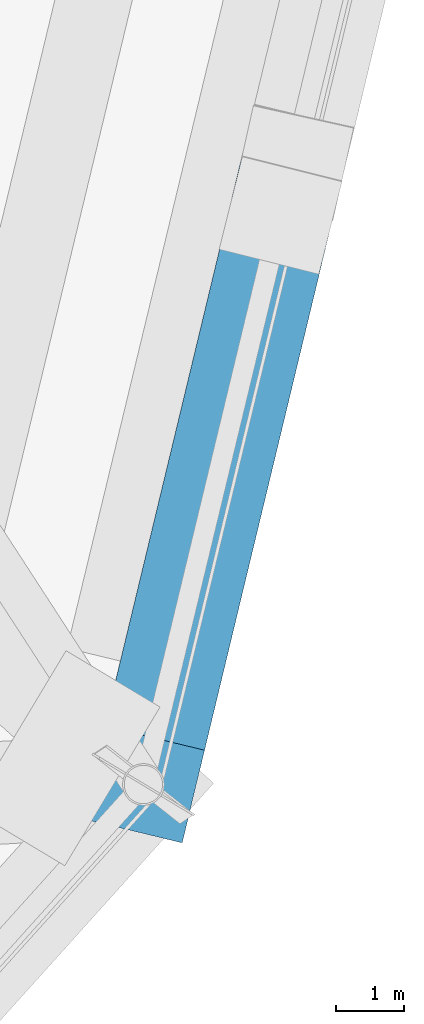
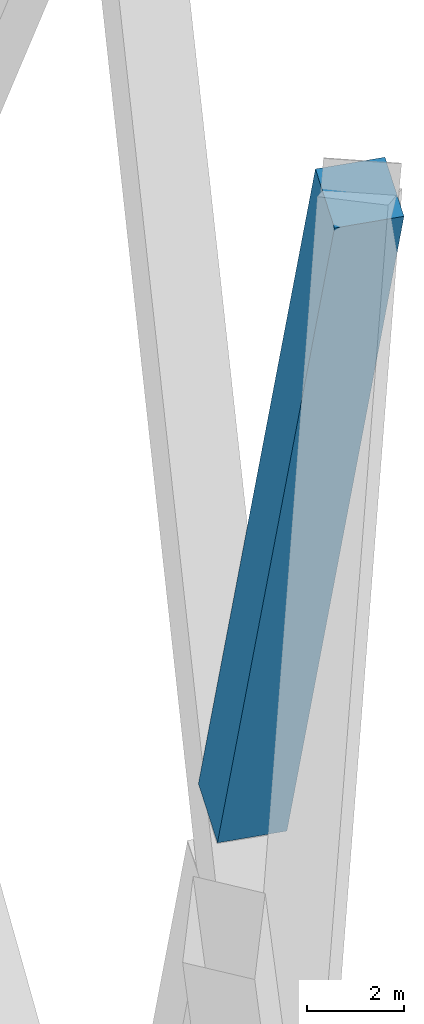
# One storey, part 21 of 49: 1 member.
"""IFC4 building model written with IfcOpenShell, lengths in metres."""

from ifc_helpers import new_model, si_unit, direction, frame, origin, origin_2d, place, context, subcontext, project, spatial, rectangle, extrude, material, material_profile, profile_set, type_object, element, save


model = new_model("IFC4")

# Units and contexts
model_context = context("Model", 3, precision=1e-05, world=origin(), true_north=direction((0.0, 1.0)))
body_context = subcontext(model_context, "Body", "Model", "MODEL_VIEW")
ifc_project = project(units=[si_unit("LENGTHUNIT", "METRE"), si_unit("AREAUNIT", "SQUARE_METRE"), si_unit("VOLUMEUNIT", "CUBIC_METRE"), si_unit("PLANEANGLEUNIT", "RADIAN"), si_unit("MASSUNIT", "GRAM", prefix="KILO")], contexts=[model_context])

# Site, building, storey
site_placement = place(None, origin())
site = spatial("IfcSite", under=ifc_project, at=site_placement, CompositionType="ELEMENT")
building_placement = place(site_placement, origin())
building = spatial("IfcBuilding", under=site, at=building_placement, Name="Nagisa Residences", CompositionType="ELEMENT")
storey_placement = place(building_placement, frame((0.0, 0.0, 160.300048828125)))
storey = spatial("IfcBuildingStorey", under=building, at=storey_placement, Name="L40", CompositionType="ELEMENT", Elevation=160.300048828125)

# Member
ifc_material = material(Name="Concrete C80", Category="concrete")
ifc_material_profile = material_profile(ifc_material, rectangle(XDim=1.5, YDim=1.5, at=origin_2d()), Name="C80 1500x1500")
ifc_profile_set = profile_set([ifc_material_profile], Name="Concrete C80")
member_type = type_object("IfcMemberType", Name="Cage diagonal 4 C80 1500x1500", PredefinedType="BRACE", material=ifc_profile_set)
member_placement = place(storey_placement, frame((32.68701171875, -9.079345703125, 26.93701171875), z_axis=(-0.087360332, -0.362545377801, 0.927862609133), x_axis=(0.97217425792, -0.23425885733, 0.0)))
element("IfcMember", 1, at=member_placement, inside=storey, type_object=member_type, Name="mem:L40:cg4d024b", PredefinedType="BRACE", context=body_context, shape_type="SweptSolid", body=[
    extrude(rectangle(XDim=1.5, YDim=1.5, at=origin_2d()), origin(), (0.0, 0.0, 1.0), 22.916015625),
])

save(model, "model.ifc")
